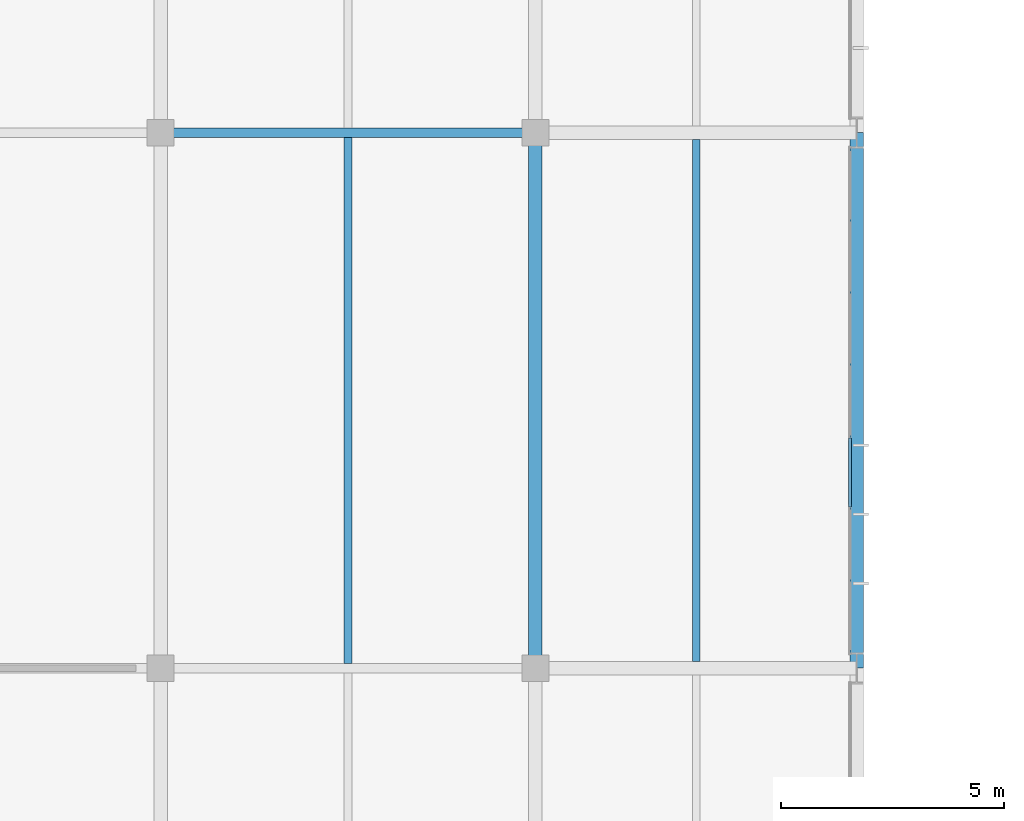
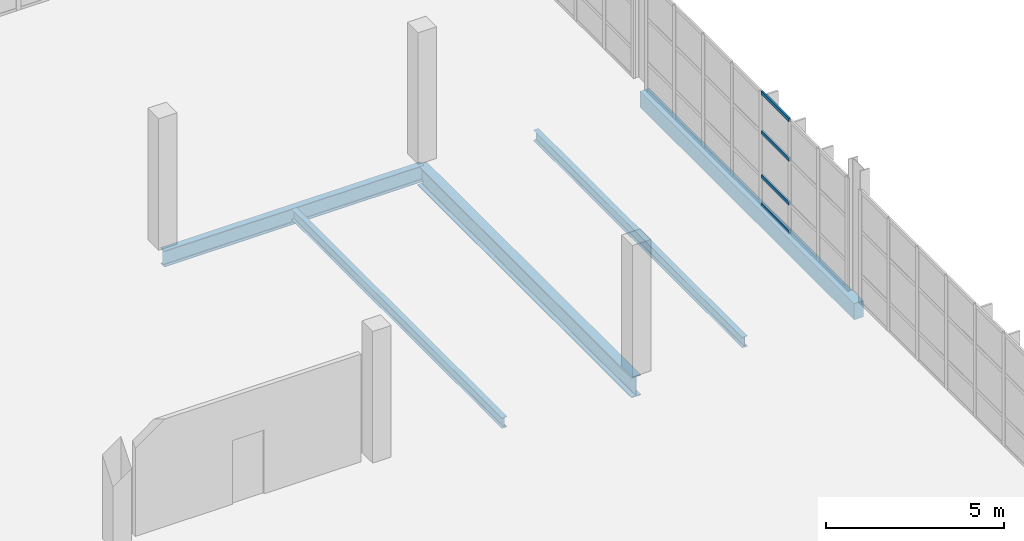
# One storey, part 79 of 113: 5 beams, 4 members, 1 element without a shape of its own.
"""IFC4 building model written with IfcOpenShell, lengths in metres."""

from ifc_helpers import new_model, si_unit, direction, frame, origin, origin_2d, place, context, subcontext, project, spatial, rectangle, hollow_rectangle, i_section, extrude, material, material_profile, profile_set, type_object, element, aggregate, save


model = new_model("IFC4")

# Units and contexts
model_context = context("Model", 3, precision=1e-05, world=origin(), true_north=direction((0.0, 1.0)))
body_context = subcontext(model_context, "Body", "Model", "MODEL_VIEW")
ifc_project = project(units=[si_unit("LENGTHUNIT", "METRE"), si_unit("AREAUNIT", "SQUARE_METRE"), si_unit("VOLUMEUNIT", "CUBIC_METRE"), si_unit("PLANEANGLEUNIT", "RADIAN"), si_unit("MASSUNIT", "GRAM", prefix="KILO")], contexts=[model_context])

# Site, building, storey
site_placement = place(None, origin())
site = spatial("IfcSite", under=ifc_project, at=site_placement, CompositionType="ELEMENT")
building_placement = place(site_placement, origin())
building = spatial("IfcBuilding", under=site, at=building_placement, Name="Veltarok Museum of Natural Sciences", CompositionType="ELEMENT")
storey_placement = place(building_placement, frame((0.0, 0.0, 8.39990234375)))
storey = spatial("IfcBuildingStorey", under=building, at=storey_placement, Name="L01", CompositionType="ELEMENT", Elevation=8.39990234375)

# Beam
ifc_material_1 = material(Name="Steel S355J2", Category="steel")
ifc_material_profile_1 = material_profile(ifc_material_1, i_section(OverallWidth=0.2099609375, OverallDepth=0.550048828125, WebThickness=0.010986328125, FlangeThickness=0.01708984375, FilletRadius=0.02392578125, at=origin_2d()), Name="IPE 550")
ifc_profile_set_1 = profile_set([ifc_material_profile_1], Name="Steel S355J2")
beam_type_1 = type_object("IfcBeamType", Name="Archive Heavy Girder IPE 550", PredefinedType="BEAM", material=ifc_profile_set_1)
beam_1_placement = place(storey_placement, frame((149.199951171875, 60.0, -0.52490234375), z_axis=(1.0, 0.0, 0.0), x_axis=(0.0, 1.0, 0.0)))
element("IfcBeam", 1, at=beam_1_placement, inside=storey, type_object=beam_type_1, Name="Beam BM-G03 L01 18-19/G", PredefinedType="BEAM", context=body_context, shape_type="SweptSolid", body=[
    extrude(i_section(OverallWidth=0.2099609375, OverallDepth=0.550048828125, WebThickness=0.010986328125, FlangeThickness=0.01708984375, FilletRadius=0.02392578125, at=origin_2d()), origin(), (0.0, 0.0, 1.0), 8.400146484375),
])

# Curtain wall, members
ifc_material_2 = material(Name="Low-iron triple insulated glass", Category="glass")
curtain_wall_type = type_object("IfcCurtainWallType", Name="Curtain Wall System CW-V5E-L01-F-1130x388 (V5 East Lab L01 F-G 1130x388cm)", PredefinedType="NOTDEFINED", material=ifc_material_2)
curtain_wall_placement = place(storey_placement, origin())
curtain_wall = element("IfcCurtainWall", 2, at=curtain_wall_placement, inside=storey, type_object=curtain_wall_type, Name="Curtain Wall CW-V5E-L01-F-1130x388 CW-0107", PredefinedType="NOTDEFINED")
ifc_material_3 = material(Name="Thermally broken anodised aluminium", Category="aluminium")
ifc_material_profile_2 = material_profile(ifc_material_3, hollow_rectangle(XDim=0.06005859375, YDim=0.1201171875, WallThickness=0.0048828125, at=origin_2d()), Name="CW TRANSOM 60x120x5")
ifc_profile_set_2 = profile_set([ifc_material_profile_2], Name="Thermally broken anodised aluminium")
member_type = type_object("IfcMemberType", Name="Curtain Wall Horizontal Transom 60x120x5", PredefinedType="USERDEFINED", material=ifc_profile_set_2)
member_1_placement = place(storey_placement, frame((164.64990234375, 51.608642578125, 0.030029296875), z_axis=(0.0, 1.0, 0.0), x_axis=(-1.0, 0.0, 0.0)))
member_1 = element("IfcMember", 3, at=member_1_placement, type_object=member_type, Name="CW-V5E-L01-F-1130x388 transom 3.1", ObjectType="TRANSOM", PredefinedType="USERDEFINED", context=body_context, shape_type="SweptSolid", body=[
    extrude(hollow_rectangle(XDim=0.06005859375, YDim=0.1201171875, WallThickness=0.0048828125, at=origin_2d()), origin(), (0.0, 0.0, 1.0), 1.55419921875),
])
member_2_placement = place(storey_placement, frame((164.64990234375, 51.608642578125, 1.0), z_axis=(0.0, 1.0, 0.0), x_axis=(-1.0, 0.0, 0.0)))
member_2 = element("IfcMember", 4, at=member_2_placement, type_object=member_type, Name="CW-V5E-L01-F-1130x388 transom 3.2", ObjectType="TRANSOM", PredefinedType="USERDEFINED", context=body_context, shape_type="SweptSolid", body=[
    extrude(hollow_rectangle(XDim=0.06005859375, YDim=0.1201171875, WallThickness=0.0048828125, at=origin_2d()), origin(), (0.0, 0.0, 1.0), 1.55419921875),
])
member_3_placement = place(storey_placement, frame((164.64990234375, 51.608642578125, 2.5), z_axis=(0.0, 1.0, 0.0), x_axis=(-1.0, 0.0, 0.0)))
member_3 = element("IfcMember", 5, at=member_3_placement, type_object=member_type, Name="CW-V5E-L01-F-1130x388 transom 3.3", ObjectType="TRANSOM", PredefinedType="USERDEFINED", context=body_context, shape_type="SweptSolid", body=[
    extrude(hollow_rectangle(XDim=0.06005859375, YDim=0.1201171875, WallThickness=0.0048828125, at=origin_2d()), origin(), (0.0, 0.0, 1.0), 1.55419921875),
])
member_4_placement = place(storey_placement, frame((164.64990234375, 51.608642578125, 3.85009765625), z_axis=(0.0, 1.0, 0.0), x_axis=(-1.0, 0.0, 0.0)))
member_4 = element("IfcMember", 6, at=member_4_placement, type_object=member_type, Name="CW-V5E-L01-F-1130x388 transom 3.4", ObjectType="TRANSOM", PredefinedType="USERDEFINED", context=body_context, shape_type="SweptSolid", body=[
    extrude(hollow_rectangle(XDim=0.06005859375, YDim=0.1201171875, WallThickness=0.0048828125, at=origin_2d()), origin(), (0.0, 0.0, 1.0), 1.55419921875),
])
aggregate(curtain_wall, [member_1, member_2, member_3, member_4])

# Beams
ifc_material_4 = material(Name="Precast concrete C40/50", Category="concrete")
ifc_material_profile_3 = material_profile(ifc_material_4, rectangle(XDim=0.300048828125, YDim=0.550048828125, at=origin_2d()), Name="RC 300x550")
ifc_profile_set_3 = profile_set([ifc_material_profile_3], Name="Precast concrete C40/50")
beam_type_2 = type_object("IfcBeamType", Name="East Wing Precast Spandrel RC 300x550", PredefinedType="SPANDREL", material=ifc_profile_set_3)
beam_2_placement = place(storey_placement, frame((164.800048828125, 48.0, -0.52490234375), z_axis=(0.0, 1.0, 0.0), x_axis=(-1.0, 0.0, 0.0)))
element("IfcBeam", 7, at=beam_2_placement, inside=storey, type_object=beam_type_2, Name="Beam BM-SP02 L01 20/F-G", PredefinedType="SPANDREL", context=body_context, shape_type="SweptSolid", body=[
    extrude(rectangle(XDim=0.300048828125, YDim=0.550048828125, at=origin_2d()), origin(), (0.0, 0.0, 1.0), 12.0),
])
ifc_material_profile_4 = material_profile(ifc_material_1, i_section(OverallWidth=0.169921875, OverallDepth=0.360107421875, WebThickness=0.008056640625, FlangeThickness=0.0126953125, FilletRadius=0.01806640625, at=origin_2d()), Name="IPE 360")
ifc_profile_set_4 = profile_set([ifc_material_profile_4], Name="Steel S355J2")
beam_type_3 = type_object("IfcBeamType", Name="Long-Bay Composite Joist IPE 360", PredefinedType="JOIST", material=ifc_profile_set_4)
beam_3_placement = place(storey_placement, frame((153.39990234375, 48.10302734375, -0.429931640625), z_axis=(0.0, 1.0, 0.0), x_axis=(-1.0, 0.0, 0.0)))
element("IfcBeam", 8, at=beam_3_placement, inside=storey, type_object=beam_type_3, Name="Secondary Joist BM-J01 L01 18-19/F-G.1", PredefinedType="JOIST", context=body_context, shape_type="SweptSolid", body=[
    extrude(i_section(OverallWidth=0.169921875, OverallDepth=0.360107421875, WebThickness=0.008056640625, FlangeThickness=0.0126953125, FilletRadius=0.01806640625, at=origin_2d()), origin(), (0.0, 0.0, 1.0), 11.7939453125),
])
beam_4_placement = place(storey_placement, frame((161.199951171875, 48.14794921875, -0.429931640625), z_axis=(0.0, 1.0, 0.0), x_axis=(-1.0, 0.0, 0.0)))
element("IfcBeam", 9, at=beam_4_placement, inside=storey, type_object=beam_type_3, Name="Secondary Joist BM-J01 L01 19-20/F-G.1", PredefinedType="JOIST", context=body_context, shape_type="SweptSolid", body=[
    extrude(i_section(OverallWidth=0.169921875, OverallDepth=0.360107421875, WebThickness=0.008056640625, FlangeThickness=0.0126953125, FilletRadius=0.01806640625, at=origin_2d()), origin(), (0.0, 0.0, 1.0), 11.7041015625),
])
ifc_material_profile_5 = material_profile(ifc_material_1, i_section(OverallWidth=0.300048828125, OverallDepth=0.699951171875, WebThickness=0.01708984375, FlangeThickness=0.031982421875, FilletRadius=0.027099609375, at=origin_2d()), Name="HEB 700")
ifc_profile_set_5 = profile_set([ifc_material_profile_5], Name="Steel S355J2")
beam_type_4 = type_object("IfcBeamType", Name="Long-Span Hall Girder HEB 700", PredefinedType="BEAM", material=ifc_profile_set_5)
beam_5_placement = place(storey_placement, frame((157.60009765625, 48.0, -0.599853515625), z_axis=(0.0, 1.0, 0.0), x_axis=(-1.0, 0.0, 0.0)))
element("IfcBeam", 10, at=beam_5_placement, inside=storey, type_object=beam_type_4, Name="Beam BM-G01 L01 19/F-G", PredefinedType="BEAM", context=body_context, shape_type="SweptSolid", body=[
    extrude(i_section(OverallWidth=0.300048828125, OverallDepth=0.699951171875, WebThickness=0.01708984375, FlangeThickness=0.031982421875, FilletRadius=0.027099609375, at=origin_2d()), origin(), (0.0, 0.0, 1.0), 12.0),
])

save(model, "model.ifc")
